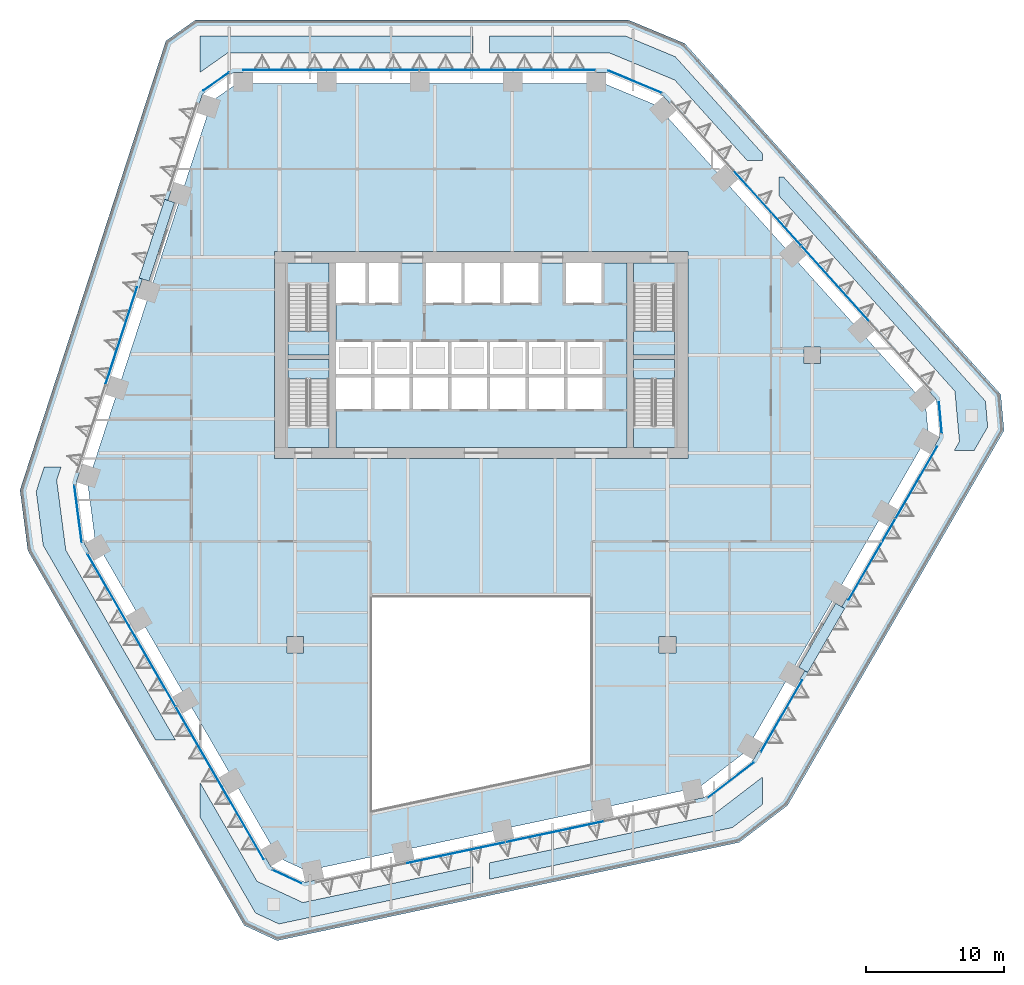
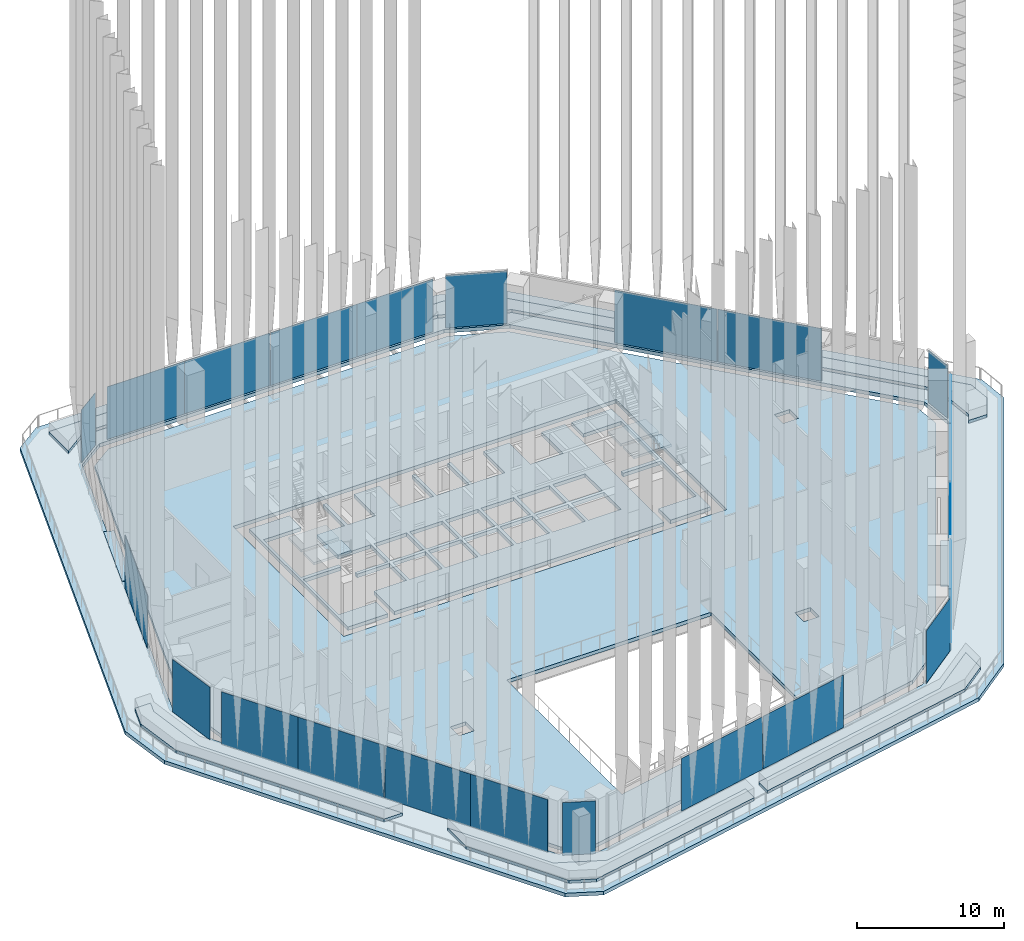
# One storey, part 12 of 27: 22 plates, 17 slabs, 16 elements without a shape of their own.
"""IFC4 building model written with IfcOpenShell, lengths in metres."""

from ifc_helpers import new_model, si_unit, direction, frame, origin, origin_2d, place, context, subcontext, project, spatial, polyline, rectangle, outline, extrude, material, layer, layer_set, type_object, element, aggregate, save


model = new_model("IFC4")

# Units and contexts
model_context = context("Model", 3, precision=1e-05, world=origin(), true_north=direction((0.0, 1.0)))
body_context = subcontext(model_context, "Body", "Model", "MODEL_VIEW")
ifc_project = project(units=[si_unit("LENGTHUNIT", "METRE"), si_unit("AREAUNIT", "SQUARE_METRE"), si_unit("VOLUMEUNIT", "CUBIC_METRE"), si_unit("PLANEANGLEUNIT", "RADIAN"), si_unit("MASSUNIT", "GRAM", prefix="KILO")], contexts=[model_context])

# Site, building, storey
site_placement = place(None, origin())
site = spatial("IfcSite", under=ifc_project, at=site_placement, CompositionType="ELEMENT")
building_placement = place(site_placement, origin())
building = spatial("IfcBuilding", under=site, at=building_placement, Name="Isthmus Gate Tower", CompositionType="ELEMENT")
storey_placement = place(building_placement, frame((0.0, 0.0, 121.64990234375)))
storey = spatial("IfcBuildingStorey", under=building, at=storey_placement, Name="L29", CompositionType="ELEMENT", Elevation=121.64990234375)

# Slabs
ifc_material_1 = material(Name="Concrete f'c 40 MPa", Category="concrete")
ifc_layer_1 = layer(ifc_material_1, 0.300048828125)
ifc_layer_set_1 = layer_set([ifc_layer_1], Name="CORE FLOOR SLAB 300")
slab_type_1 = type_object("IfcSlabType", Name="CORE FLOOR SLAB 300", PredefinedType="FLOOR", material=ifc_layer_set_1)
slab_1_placement = place(storey_placement, frame((0.0, 0.0, -0.2998046875)))
element("IfcSlab", 1, at=slab_1_placement, inside=storey, type_object=slab_type_1, Name="L29 core floor", PredefinedType="FLOOR", context=body_context, shape_type="SweptSolid", body=[
    extrude(outline(polyline([(-11.050048828125, 0.800048828125), (-11.050048828125, 2.402099609375), (-14.0, 2.402099609375), (-14.0, 7.199951171875), (-11.050048828125, 7.199951171875), (-11.050048828125, 7.5), (-14.0, 7.5), (-14.0, 12.597900390625), (-11.050048828125, 12.597900390625), (-11.050048828125, 14.199951171875), (-14.199951171875, 14.199951171875), (-14.199951171875, 0.800048828125), (-11.050048828125, 0.800048828125)])), origin(), (0.0, 0.0, 1.0), 0.2998046875),
])
slab_2_placement = place(storey_placement, frame((0.0, 0.0, -0.2998046875)))
element("IfcSlab", 2, at=slab_2_placement, inside=storey, type_object=slab_type_1, Name="L29 core floor", PredefinedType="FLOOR", context=body_context, shape_type="SweptSolid", body=[
    extrude(outline(polyline([(10.550048828125, 14.199951171875), (8.699951171875, 14.199951171875), (8.699951171875, 11.300048828125), (6.14990234375, 11.300048828125), (6.14990234375, 14.199951171875), (4.14990234375, 14.199951171875), (4.14990234375, 11.300048828125), (1.60009765625, 11.300048828125), (1.60009765625, 14.199951171875), (1.35009765625, 14.199951171875), (1.35009765625, 11.300048828125), (-1.199951171875, 11.300048828125), (-1.199951171875, 14.199951171875), (-1.449951171875, 14.199951171875), (-1.449951171875, 11.300048828125), (-4.0, 11.300048828125), (-4.0, 14.199951171875), (-6.0, 14.199951171875), (-6.0, 11.300048828125), (-8.14990234375, 11.300048828125), (-8.14990234375, 14.199951171875), (-8.39990234375, 14.199951171875), (-8.39990234375, 11.300048828125), (-10.550048828125, 11.300048828125), (-10.550048828125, 8.449951171875), (-8.0, 8.449951171875), (-8.0, 6.14990234375), (-10.550048828125, 6.14990234375), (-10.550048828125, 5.89990234375), (-8.0, 5.89990234375), (-8.0, 3.60009765625), (-10.550048828125, 3.60009765625), (-10.550048828125, 0.800048828125), (10.550048828125, 0.800048828125), (10.550048828125, 14.199951171875)]), holes=[polyline([(-5.199951171875, 3.60009765625), (-7.75, 3.60009765625), (-7.75, 5.89990234375), (-5.199951171875, 5.89990234375), (-5.199951171875, 3.60009765625)]), polyline([(-2.39990234375, 3.60009765625), (-4.949951171875, 3.60009765625), (-4.949951171875, 5.89990234375), (-2.39990234375, 5.89990234375), (-2.39990234375, 3.60009765625)]), polyline([(-5.199951171875, 6.14990234375), (-7.75, 6.14990234375), (-7.75, 8.449951171875), (-5.199951171875, 8.449951171875), (-5.199951171875, 6.14990234375)]), polyline([(-2.39990234375, 8.449951171875), (-2.39990234375, 6.14990234375), (-4.949951171875, 6.14990234375), (-4.949951171875, 8.449951171875), (-2.39990234375, 8.449951171875)]), polyline([(0.39990234375, 6.14990234375), (-2.14990234375, 6.14990234375), (-2.14990234375, 8.449951171875), (0.39990234375, 8.449951171875), (0.39990234375, 6.14990234375)]), polyline([(0.39990234375, 5.89990234375), (0.39990234375, 3.60009765625), (-2.14990234375, 3.60009765625), (-2.14990234375, 5.89990234375), (0.39990234375, 5.89990234375)]), polyline([(3.199951171875, 3.60009765625), (0.64990234375, 3.60009765625), (0.64990234375, 5.89990234375), (3.199951171875, 5.89990234375), (3.199951171875, 3.60009765625)]), polyline([(6.0, 3.60009765625), (3.449951171875, 3.60009765625), (3.449951171875, 5.89990234375), (6.0, 5.89990234375), (6.0, 3.60009765625)]), polyline([(8.800048828125, 5.89990234375), (8.800048828125, 3.60009765625), (6.25, 3.60009765625), (6.25, 5.89990234375), (8.800048828125, 5.89990234375)]), polyline([(3.199951171875, 6.14990234375), (0.64990234375, 6.14990234375), (0.64990234375, 8.449951171875), (3.199951171875, 8.449951171875), (3.199951171875, 6.14990234375)]), polyline([(6.0, 8.449951171875), (6.0, 6.14990234375), (3.449951171875, 6.14990234375), (3.449951171875, 8.449951171875), (6.0, 8.449951171875)]), polyline([(8.800048828125, 6.14990234375), (6.25, 6.14990234375), (6.25, 8.449951171875), (8.800048828125, 8.449951171875), (8.800048828125, 6.14990234375)])]), origin(), (0.0, 0.0, 1.0), 0.2998046875),
])
slab_3_placement = place(storey_placement, frame((0.0, 0.0, -0.2998046875)))
element("IfcSlab", 3, at=slab_3_placement, inside=storey, type_object=slab_type_1, Name="L29 core floor", PredefinedType="FLOOR", context=body_context, shape_type="SweptSolid", body=[
    extrude(outline(polyline([(11.050048828125, 14.199951171875), (11.050048828125, 12.597900390625), (14.0, 12.597900390625), (14.0, 7.5), (11.050048828125, 7.5), (11.050048828125, 7.199951171875), (14.0, 7.199951171875), (14.0, 2.402099609375), (11.050048828125, 2.402099609375), (11.050048828125, 0.800048828125), (14.199951171875, 0.800048828125), (14.199951171875, 14.199951171875), (11.050048828125, 14.199951171875)])), origin(), (0.0, 0.0, 1.0), 0.2998046875),
])

# Curtain wall, plates
ifc_material_2 = material(Name="Aluminium, pale champagne anodised", Category="aluminium")
ifc_layer_2 = layer(ifc_material_2, 0.199951171875)
ifc_layer_set_2 = layer_set([ifc_layer_2], Name="CW-1 UNITISED CURTAIN WALL 200 DEEP")
curtain_wall_type = type_object("IfcCurtainWallType", Name="CW-1 UNITISED CURTAIN WALL 200 DEEP", PredefinedType="NOTDEFINED", material=ifc_layer_set_2)
curtain_wall_1_placement = place(storey_placement, origin())
curtain_wall_1 = element("IfcCurtainWall", 4, at=curtain_wall_1_placement, inside=storey, type_object=curtain_wall_type, Name="CW-1 N L29", PredefinedType="NOTDEFINED")
ifc_material_3 = material(Name="Laminated low-iron glass, pale blue tint", Category="glass")
ifc_layer_3 = layer(ifc_material_3, 0.035888671875)
ifc_layer_set_3 = layer_set([ifc_layer_3], Name="CW-1 CLEAR GLASS LITE 36")
plate_type = type_object("IfcPlateType", Name="CW-1 CLEAR GLASS LITE 36", PredefinedType="CURTAIN_PANEL", material=ifc_layer_set_3)
plate_1_placement = place(storey_placement, frame((5.283447265625, 28.181884765625, 0.0), z_axis=(0.0, 0.0, 1.0), x_axis=(-1.0, 0.0, 0.0)))
plate_1 = element("IfcPlate", 5, at=plate_1_placement, type_object=plate_type, Name="CW-1 glass lite", PredefinedType="CURTAIN_PANEL", context=body_context, shape_type="SweptSolid", body=[
    extrude(rectangle(XDim=5.990234375, YDim=0.035888671875, at=origin_2d()), origin(), (0.0, 0.0, 1.0), 4.360107421875),
])
plate_2_placement = place(storey_placement, frame((-1.086669921875, 28.181884765625, 0.0), z_axis=(0.0, 0.0, 1.0), x_axis=(-1.0, 0.0, 0.0)))
plate_2 = element("IfcPlate", 6, at=plate_2_placement, type_object=plate_type, Name="CW-1 glass lite", PredefinedType="CURTAIN_PANEL", context=body_context, shape_type="SweptSolid", body=[
    extrude(rectangle(XDim=6.750244140625, YDim=0.035888671875, at=origin_2d()), origin(), (0.0, 0.0, 1.0), 4.360107421875),
])
plate_3_placement = place(storey_placement, frame((-7.86669921875, 28.181884765625, 0.0), z_axis=(0.0, 0.0, 1.0), x_axis=(-1.0, 0.0, 0.0)))
plate_3 = element("IfcPlate", 7, at=plate_3_placement, type_object=plate_type, Name="CW-1 glass lite", PredefinedType="CURTAIN_PANEL", context=body_context, shape_type="SweptSolid", body=[
    extrude(rectangle(XDim=6.690185546875, YDim=0.035888671875, at=origin_2d()), origin(), (0.0, 0.0, 1.0), 4.360107421875),
])
plate_4_placement = place(storey_placement, frame((-14.23681640625, 28.181884765625, 0.0), z_axis=(0.0, 0.0, 1.0), x_axis=(-1.0, 0.0, 0.0)))
plate_4 = element("IfcPlate", 8, at=plate_4_placement, type_object=plate_type, Name="CW-1 glass lite", PredefinedType="CURTAIN_PANEL", context=body_context, shape_type="SweptSolid", body=[
    extrude(rectangle(XDim=6.050048828125, YDim=0.035888671875, at=origin_2d()), origin(), (0.0, 0.0, 1.0), 4.360107421875),
])
aggregate(curtain_wall_1, [plate_1, plate_2, plate_3, plate_4])

# Curtain wall, plate
curtain_wall_2_placement = place(storey_placement, origin())
curtain_wall_2 = element("IfcCurtainWall", 9, at=curtain_wall_2_placement, inside=storey, type_object=curtain_wall_type, Name="CW-1 N-NW L29", PredefinedType="NOTDEFINED")
plate_5_placement = place(storey_placement, frame((-19.2119140625, 27.343017578125, 0.0), z_axis=(0.0, 0.0, 1.0), x_axis=(-0.81785959165, -0.57541783805, 0.0)))
plate_5 = element("IfcPlate", 10, at=plate_5_placement, type_object=plate_type, Name="CW-1 glass lite", PredefinedType="CURTAIN_PANEL", context=body_context, shape_type="SweptSolid", body=[
    extrude(rectangle(XDim=2.258544921875, YDim=0.035888671875, at=origin_2d()), origin(), (0.0, 0.0, 1.0), 4.360107421875),
])
aggregate(curtain_wall_2, [plate_5])

curtain_wall_3_placement = place(storey_placement, origin())
curtain_wall_3 = element("IfcCurtainWall", 11, at=curtain_wall_3_placement, inside=storey, type_object=curtain_wall_type, Name="CW-1 NW L29", PredefinedType="NOTDEFINED")
plate_6_placement = place(storey_placement, frame((-26.09765625, 8.8984375, 0.0), z_axis=(0.0, 0.0, 1.0), x_axis=(-0.309016994375, -0.951056516295, 0.0)))
plate_6 = element("IfcPlate", 12, at=plate_6_placement, type_object=plate_type, Name="CW-1 glass lite", PredefinedType="CURTAIN_PANEL", context=body_context, shape_type="SweptSolid", body=[
    extrude(rectangle(XDim=7.390869140625, YDim=0.035888671875, at=origin_2d()), origin(), (0.0, 0.0, 1.0), 4.360107421875),
])
aggregate(curtain_wall_3, [plate_6])

curtain_wall_4_placement = place(storey_placement, origin())
curtain_wall_4 = element("IfcCurtainWall", 13, at=curtain_wall_4_placement, inside=storey, type_object=curtain_wall_type, Name="CW-1 NW-SW L29", PredefinedType="NOTDEFINED")
plate_7_placement = place(storey_placement, frame((-29.234619140625, -3.9990234375, 0.0), z_axis=(0.0, 0.0, 1.0), x_axis=(0.129164534, -0.991623175988, 0.0)))
plate_7 = element("IfcPlate", 14, at=plate_7_placement, type_object=plate_type, Name="CW-1 glass lite", PredefinedType="CURTAIN_PANEL", context=body_context, shape_type="SweptSolid", body=[
    extrude(rectangle(XDim=4.181396484375, YDim=0.035888671875, at=origin_2d()), origin(), (0.0, 0.0, 1.0), 4.360107421875),
])
aggregate(curtain_wall_4, [plate_7])

# Curtain wall, plates
curtain_wall_5_placement = place(storey_placement, origin())
curtain_wall_5 = element("IfcCurtainWall", 15, at=curtain_wall_5_placement, inside=storey, type_object=curtain_wall_type, Name="CW-1 SW L29", PredefinedType="NOTDEFINED")
plate_8_placement = place(storey_placement, frame((-27.048095703125, -9.515380859375, 0.0), z_axis=(0.0, 0.0, 1.0), x_axis=(0.5, -0.866025403784, 0.0)))
plate_8 = element("IfcPlate", 16, at=plate_8_placement, type_object=plate_type, Name="CW-1 glass lite", PredefinedType="CURTAIN_PANEL", context=body_context, shape_type="SweptSolid", body=[
    extrude(rectangle(XDim=5.990234375, YDim=0.035888671875, at=origin_2d()), origin(), (0.0, 0.0, 1.0), 4.360107421875),
])
plate_9_placement = place(storey_placement, frame((-23.863037109375, -15.031982421875, 0.0), z_axis=(0.0, 0.0, 1.0), x_axis=(0.5, -0.866025403784, 0.0)))
plate_9 = element("IfcPlate", 17, at=plate_9_placement, type_object=plate_type, Name="CW-1 glass lite", PredefinedType="CURTAIN_PANEL", context=body_context, shape_type="SweptSolid", body=[
    extrude(rectangle(XDim=6.750244140625, YDim=0.035888671875, at=origin_2d()), origin(), (0.0, 0.0, 1.0), 4.360107421875),
])
plate_10_placement = place(storey_placement, frame((-20.472900390625, -20.90380859375, 0.0), z_axis=(0.0, 0.0, 1.0), x_axis=(0.5, -0.866025403784, 0.0)))
plate_10 = element("IfcPlate", 18, at=plate_10_placement, type_object=plate_type, Name="CW-1 glass lite", PredefinedType="CURTAIN_PANEL", context=body_context, shape_type="SweptSolid", body=[
    extrude(rectangle(XDim=6.690185546875, YDim=0.035888671875, at=origin_2d()), origin(), (0.0, 0.0, 1.0), 4.360107421875),
])
plate_11_placement = place(storey_placement, frame((-17.287841796875, -26.42041015625, 0.0), z_axis=(0.0, 0.0, 1.0), x_axis=(0.5, -0.866025403784, 0.0)))
plate_11 = element("IfcPlate", 19, at=plate_11_placement, type_object=plate_type, Name="CW-1 glass lite", PredefinedType="CURTAIN_PANEL", context=body_context, shape_type="SweptSolid", body=[
    extrude(rectangle(XDim=6.050048828125, YDim=0.035888671875, at=origin_2d()), origin(), (0.0, 0.0, 1.0), 4.360107421875),
])
aggregate(curtain_wall_5, [plate_8, plate_9, plate_10, plate_11])

# Curtain wall, plate
curtain_wall_6_placement = place(storey_placement, origin())
curtain_wall_6 = element("IfcCurtainWall", 20, at=curtain_wall_6_placement, inside=storey, type_object=curtain_wall_type, Name="CW-1 SW-S L29", PredefinedType="NOTDEFINED")
plate_12_placement = place(storey_placement, frame((-14.07373046875, -30.3095703125, 0.0), z_axis=(0.0, 0.0, 1.0), x_axis=(0.907256261367, -0.420578264073, 0.0)))
plate_12 = element("IfcPlate", 21, at=plate_12_placement, type_object=plate_type, Name="CW-1 glass lite", PredefinedType="CURTAIN_PANEL", context=body_context, shape_type="SweptSolid", body=[
    extrude(rectangle(XDim=2.258544921875, YDim=0.035888671875, at=origin_2d()), origin(), (0.0, 0.0, 1.0), 4.360107421875),
])
aggregate(curtain_wall_6, [plate_12])

# Curtain wall, plates
curtain_wall_7_placement = place(storey_placement, origin())
curtain_wall_7 = element("IfcCurtainWall", 22, at=curtain_wall_7_placement, inside=storey, type_object=curtain_wall_type, Name="CW-1 S L29", PredefinedType="NOTDEFINED")
plate_13_placement = place(storey_placement, frame((-1.88671875, -28.587158203125, 0.0), z_axis=(0.0, 0.0, 1.0), x_axis=(0.978147600734, 0.207911690818, 0.0)))
plate_13 = element("IfcPlate", 23, at=plate_13_placement, type_object=plate_type, Name="CW-1 glass lite", PredefinedType="CURTAIN_PANEL", context=body_context, shape_type="SweptSolid", body=[
    extrude(rectangle(XDim=7.390869140625, YDim=0.035888671875, at=origin_2d()), origin(), (0.0, 0.0, 1.0), 4.360107421875),
])
plate_14_placement = place(storey_placement, frame((5.371826171875, -27.044189453125, 0.0), z_axis=(0.0, 0.0, 1.0), x_axis=(0.978147600734, 0.207911690818, 0.0)))
plate_14 = element("IfcPlate", 24, at=plate_14_placement, type_object=plate_type, Name="CW-1 glass lite", PredefinedType="CURTAIN_PANEL", context=body_context, shape_type="SweptSolid", body=[
    extrude(rectangle(XDim=7.330810546875, YDim=0.035888671875, at=origin_2d()), origin(), (0.0, 0.0, 1.0), 4.360107421875),
])
aggregate(curtain_wall_7, [plate_13, plate_14])

# Curtain wall, plate
curtain_wall_8_placement = place(storey_placement, origin())
curtain_wall_8 = element("IfcCurtainWall", 25, at=curtain_wall_8_placement, inside=storey, type_object=curtain_wall_type, Name="CW-1 S-SE L29", PredefinedType="NOTDEFINED")
plate_15_placement = place(storey_placement, frame((18.08056640625, -23.318359375, 0.0), z_axis=(0.0, 0.0, 1.0), x_axis=(0.794188594387, 0.607671355706, 0.0)))
plate_15 = element("IfcPlate", 26, at=plate_15_placement, type_object=plate_type, Name="CW-1 glass lite", PredefinedType="CURTAIN_PANEL", context=body_context, shape_type="SweptSolid", body=[
    extrude(rectangle(XDim=4.181396484375, YDim=0.035888671875, at=origin_2d()), origin(), (0.0, 0.0, 1.0), 4.360107421875),
])
aggregate(curtain_wall_8, [plate_15])

# Curtain wall, plates
curtain_wall_9_placement = place(storey_placement, origin())
curtain_wall_9 = element("IfcCurtainWall", 27, at=curtain_wall_9_placement, inside=storey, type_object=curtain_wall_type, Name="CW-1 SE L29", PredefinedType="NOTDEFINED")
plate_16_placement = place(storey_placement, frame((21.7646484375, -18.666748046875, 0.0), z_axis=(0.0, 0.0, 1.0), x_axis=(0.5, 0.866025403784, 0.0)))
plate_16 = element("IfcPlate", 28, at=plate_16_placement, type_object=plate_type, Name="CW-1 glass lite", PredefinedType="CURTAIN_PANEL", context=body_context, shape_type="SweptSolid", body=[
    extrude(rectangle(XDim=5.990234375, YDim=0.035888671875, at=origin_2d()), origin(), (0.0, 0.0, 1.0), 4.360107421875),
])
plate_17_placement = place(storey_placement, frame((28.32470703125, -7.30419921875, 0.0), z_axis=(0.0, 0.0, 1.0), x_axis=(0.5, 0.866025403784, 0.0)))
plate_17 = element("IfcPlate", 29, at=plate_17_placement, type_object=plate_type, Name="CW-1 glass lite", PredefinedType="CURTAIN_PANEL", context=body_context, shape_type="SweptSolid", body=[
    extrude(rectangle(XDim=6.750244140625, YDim=0.035888671875, at=origin_2d()), origin(), (0.0, 0.0, 1.0), 4.360107421875),
])
plate_18_placement = place(storey_placement, frame((31.539794921875, -1.735595703125, 0.0), z_axis=(0.0, 0.0, 1.0), x_axis=(0.5, 0.866025403784, 0.0)))
plate_18 = element("IfcPlate", 30, at=plate_18_placement, type_object=plate_type, Name="CW-1 glass lite", PredefinedType="CURTAIN_PANEL", context=body_context, shape_type="SweptSolid", body=[
    extrude(rectangle(XDim=5.990234375, YDim=0.035888671875, at=origin_2d()), origin(), (0.0, 0.0, 1.0), 4.360107421875),
])
aggregate(curtain_wall_9, [plate_16, plate_17, plate_18])

# Curtain wall, plate
curtain_wall_10_placement = place(storey_placement, origin())
curtain_wall_10 = element("IfcCurtainWall", 31, at=curtain_wall_10_placement, inside=storey, type_object=curtain_wall_type, Name="CW-1 SE-NE L29", PredefinedType="NOTDEFINED")
plate_19_placement = place(storey_placement, frame((33.285888671875, 2.966552734375, 0.0), z_axis=(0.0, 0.0, 1.0), x_axis=(-0.089396669717, 0.995996102123, 0.0)))
plate_19 = element("IfcPlate", 32, at=plate_19_placement, type_object=plate_type, Name="CW-1 glass lite", PredefinedType="CURTAIN_PANEL", context=body_context, shape_type="SweptSolid", body=[
    extrude(rectangle(XDim=2.258544921875, YDim=0.035888671875, at=origin_2d()), origin(), (0.0, 0.0, 1.0), 4.360107421875),
])
aggregate(curtain_wall_10, [plate_19])

# Curtain wall, plates
curtain_wall_11_placement = place(storey_placement, origin())
curtain_wall_11 = element("IfcCurtainWall", 33, at=curtain_wall_11_placement, inside=storey, type_object=curtain_wall_type, Name="CW-1 NE L29", PredefinedType="NOTDEFINED")
plate_20_placement = place(storey_placement, frame((25.70068359375, 12.659423828125, 0.0), z_axis=(0.0, 0.0, 1.0), x_axis=(-0.669130606359, 0.743144825477, 0.0)))
plate_20 = element("IfcPlate", 34, at=plate_20_placement, type_object=plate_type, Name="CW-1 glass lite", PredefinedType="CURTAIN_PANEL", context=body_context, shape_type="SweptSolid", body=[
    extrude(rectangle(XDim=7.390869140625, YDim=0.035888671875, at=origin_2d()), origin(), (0.0, 0.0, 1.0), 4.360107421875),
])
plate_21_placement = place(storey_placement, frame((20.735107421875, 18.17431640625, 0.0), z_axis=(0.0, 0.0, 1.0), x_axis=(-0.669130606359, 0.743144825477, 0.0)))
plate_21 = element("IfcPlate", 35, at=plate_21_placement, type_object=plate_type, Name="CW-1 glass lite", PredefinedType="CURTAIN_PANEL", context=body_context, shape_type="SweptSolid", body=[
    extrude(rectangle(XDim=7.330810546875, YDim=0.035888671875, at=origin_2d()), origin(), (0.0, 0.0, 1.0), 4.360107421875),
])
aggregate(curtain_wall_11, [plate_20, plate_21])

# Curtain wall, plate
curtain_wall_12_placement = place(storey_placement, origin())
curtain_wall_12 = element("IfcCurtainWall", 36, at=curtain_wall_12_placement, inside=storey, type_object=curtain_wall_type, Name="CW-1 NE-N L29", PredefinedType="NOTDEFINED")
plate_22_placement = place(storey_placement, frame((11.154052734375, 27.3173828125, 0.0), z_axis=(0.0, 0.0, 1.0), x_axis=(-0.923353128387, 0.383951820282, 0.0)))
plate_22 = element("IfcPlate", 37, at=plate_22_placement, type_object=plate_type, Name="CW-1 glass lite", PredefinedType="CURTAIN_PANEL", context=body_context, shape_type="SweptSolid", body=[
    extrude(rectangle(XDim=4.181396484375, YDim=0.035888671875, at=origin_2d()), origin(), (0.0, 0.0, 1.0), 4.360107421875),
])
aggregate(curtain_wall_12, [plate_22])

# Slabs
ifc_material_4 = material(Name="Precast concrete C40/50", Category="concrete")
ifc_layer_4 = layer(ifc_material_4, 0.0400390625)
ifc_layer_set_4 = layer_set([ifc_layer_4], Name="DOOR LANDING SLAB 40")
slab_type_2 = type_object("IfcSlabType", Name="DOOR LANDING SLAB 40", PredefinedType="LANDING", material=ifc_layer_set_4)
slab_4_placement = place(storey_placement, origin())
element("IfcSlab", 38, at=slab_4_placement, inside=storey, type_object=slab_type_2, Name="DOOR LANDING", PredefinedType="LANDING", context=body_context, shape_type="SweptSolid", body=[
    extrude(outline(polyline([(-22.952880859375, 18.79736328125), (-24.803955078125, 13.099853515625), (-24.0908203125, 12.8681640625), (-22.239501953125, 18.565673828125), (-22.952880859375, 18.79736328125)])), origin(), (0.0, 0.0, 1.0), 0.0400390625),
])
slab_5_placement = place(storey_placement, origin())
element("IfcSlab", 39, at=slab_5_placement, inside=storey, type_object=slab_type_2, Name="DOOR LANDING", PredefinedType="LANDING", context=body_context, shape_type="SweptSolid", body=[
    extrude(outline(polyline([(23.6708984375, -15.500732421875), (26.34619140625, -10.8671875), (25.696533203125, -10.4921875), (23.021484375, -15.125732421875), (23.6708984375, -15.500732421875)])), origin(), (0.0, 0.0, 1.0), 0.0400390625),
])
ifc_material_5 = material(Name="Concrete f'c 40 MPa", Category="concrete")
ifc_layer_5 = layer(ifc_material_5, 0.300048828125)
ifc_layer_set_5 = layer_set([ifc_layer_5], Name="LEDGE ROOF SLAB 300")
slab_type_3 = type_object("IfcSlabType", Name="LEDGE ROOF SLAB 300", PredefinedType="ROOF", material=ifc_layer_set_5)
slab_6_placement = place(storey_placement, frame((0.0, 0.0, -0.2998046875)))
element("IfcSlab", 40, at=slab_6_placement, inside=storey, type_object=slab_type_3, Name="str-ledge-L29", PredefinedType="ROOF", context=body_context, shape_type="SweptSolid", body=[
    extrude(outline(polyline([(37.661376953125, 4.652099609375), (37.89599609375, 2.037841796875), (22.20849609375, -25.133544921875), (18.6953125, -27.82177734375), (-14.802001953125, -34.94189453125), (-17.18310546875, -33.837890625), (-32.87060546875, -6.66650390625), (-33.44189453125, -2.27978515625), (-22.859619140625, 30.289794921875), (-20.712890625, 31.800048828125), (10.661865234375, 31.800048828125), (14.74658203125, 30.1015625), (37.661376953125, 4.652099609375)]), holes=[polyline([(-20.21484375, 26.4150390625), (-20.6474609375, 25.08349609375), (-20.6474609375, 25.08349609375), (-22.282470703125, 20.051513671875), (-22.715087890625, 18.72021484375), (-22.715087890625, 18.72021484375), (-24.800537109375, 12.302001953125), (-24.998779296875, 11.691162109375), (-29.350341796875, -1.701416015625), (-29.350341796875, -1.701416015625), (-29.350341796875, -1.701416015625), (-28.76806640625, -6.17236328125), (-25.742919921875, -11.411865234375), (-25.742919921875, -11.411865234375), (-25.04296875, -12.62451171875), (-22.367919921875, -17.2578125), (-22.343994140625, -17.299072265625), (-18.992919921875, -23.103515625), (-18.992919921875, -23.103515625), (-18.292724609375, -24.31591796875), (-15.267578125, -29.555419921875), (-12.7685546875, -30.714111328125), (-11.399169921875, -30.423095703125), (-11.399169921875, -30.423095703125), (-6.22412109375, -29.322998046875), (-4.8544921875, -29.031982421875), (-4.8544921875, -29.031982421875), (1.68994140625, -27.640869140625), (2.374755859375, -27.4951171875), (2.374755859375, -27.4951171875), (16.148681640625, -24.5673828125), (19.7294921875, -21.82763671875), (20.429443359375, -20.615234375), (22.75439453125, -16.588134765625), (23.45458984375, -15.37548828125), (26.427490234375, -10.226318359375), (26.82958984375, -9.52978515625), (29.5537109375, -4.811279296875), (30.20458984375, -3.68408203125), (30.20458984375, -3.68408203125), (33.1494140625, 1.41650390625), (33.229736328125, 1.555419921875), (33.229736328125, 1.555419921875), (33.229736328125, 1.555419921875), (32.9833984375, 4.299072265625), (18.615478515625, 20.256103515625), (17.864990234375, 21.089599609375), (13.201904296875, 26.268798828125), (9.03857421875, 28.0), (7.638671875, 28.0), (2.98828125, 28.0), (1.58837890625, 28.0), (-3.76171875, 28.0), (-5.16162109375, 28.0), (-10.51171875, 28.0), (-11.911865234375, 28.0), (-16.56201171875, 28.0), (-17.9619140625, 28.0), (-20.21484375, 26.4150390625)])]), origin(), (0.0, 0.0, 1.0), 0.2998046875),
])
ifc_material_6 = material(Name="Concrete f'c 40 MPa", Category="concrete")
ifc_layer_6 = layer(ifc_material_6, 0.25)
ifc_layer_set_6 = layer_set([ifc_layer_6], Name="PLANTING BED BASE SLAB 250")
slab_type_4 = type_object("IfcSlabType", Name="PLANTING BED BASE SLAB 250", PredefinedType="FLOOR", material=ifc_layer_set_6)
slab_7_placement = place(storey_placement, origin())
element("IfcSlab", 41, at=slab_7_placement, inside=storey, type_object=slab_type_4, Name="PLANTING BED BASE", PredefinedType="FLOOR", context=body_context, shape_type="SweptSolid", body=[
    extrude(outline(polyline([(-30.464599609375, -0.60009765625), (-31.68701171875, -0.60009765625), (-32.26806640625, -2.388427734375), (-31.759765625, -6.290283203125), (-23.613525390625, -20.39990234375), (-22.170166015625, -20.39990234375), (-30.1201171875, -6.63037109375), (-30.779541015625, -1.569091796875), (-30.464599609375, -0.60009765625)])), origin(), (0.0, 0.0, 1.0), 0.25),
])
slab_8_placement = place(storey_placement, origin())
element("IfcSlab", 42, at=slab_8_placement, inside=storey, type_object=slab_type_4, Name="PLANTING BED BASE", PredefinedType="FLOOR", context=body_context, shape_type="SweptSolid", body=[
    extrude(outline(polyline([(-0.60009765625, -30.747314453125), (-0.60009765625, -29.558837890625), (-12.93408203125, -32.180419921875), (-16.258544921875, -30.639404296875), (-20.39990234375, -23.466064453125), (-20.39990234375, -25.966064453125), (-16.369140625, -32.94775390625), (-14.666015625, -33.7373046875), (-0.60009765625, -30.747314453125)])), origin(), (0.0, 0.0, 1.0), 0.25),
])
slab_9_placement = place(storey_placement, origin())
element("IfcSlab", 43, at=slab_9_placement, inside=storey, type_object=slab_type_4, Name="PLANTING BED BASE", PredefinedType="FLOOR", context=body_context, shape_type="SweptSolid", body=[
    extrude(outline(polyline([(-0.60009765625, 29.39990234375), (-0.60009765625, 30.64990234375), (-20.348876953125, 30.64990234375), (-20.39990234375, 30.614013671875), (-20.39990234375, 27.99658203125), (-18.405029296875, 29.39990234375), (-0.60009765625, 29.39990234375)])), origin(), (0.0, 0.0, 1.0), 0.25),
])
slab_10_placement = place(storey_placement, origin())
element("IfcSlab", 44, at=slab_10_placement, inside=storey, type_object=slab_type_4, Name="PLANTING BED BASE", PredefinedType="FLOOR", context=body_context, shape_type="SweptSolid", body=[
    extrude(outline(polyline([(20.39990234375, 21.60009765625), (20.39990234375, 22.104248046875), (14.065673828125, 29.13916015625), (10.432373046875, 30.64990234375), (0.60009765625, 30.64990234375), (0.60009765625, 29.39990234375), (9.318115234375, 29.39990234375), (14.031005859375, 27.440185546875), (19.28955078125, 21.60009765625), (20.39990234375, 21.60009765625)])), origin(), (0.0, 0.0, 1.0), 0.25),
])
slab_11_placement = place(storey_placement, origin())
element("IfcSlab", 45, at=slab_11_placement, inside=storey, type_object=slab_type_4, Name="PLANTING BED BASE", PredefinedType="FLOOR", context=body_context, shape_type="SweptSolid", body=[
    extrude(outline(polyline([(20.39990234375, -25.0693359375), (20.39990234375, -23.077392578125), (16.74853515625, -25.871337890625), (0.60009765625, -29.3037109375), (0.60009765625, -30.4921875), (18.202392578125, -26.750732421875), (20.39990234375, -25.0693359375)])), origin(), (0.0, 0.0, 1.0), 0.25),
])
slab_12_placement = place(storey_placement, origin())
element("IfcSlab", 46, at=slab_12_placement, inside=storey, type_object=slab_type_4, Name="PLANTING BED BASE", PredefinedType="FLOOR", context=body_context, shape_type="SweptSolid", body=[
    extrude(outline(polyline([(21.60009765625, 20.39990234375), (21.60009765625, 19.033935546875), (34.336181640625, 4.88916015625), (34.663818359375, 1.2392578125), (34.294677734375, 0.60009765625), (35.738037109375, 0.60009765625), (36.718017578125, 2.297607421875), (36.55029296875, 4.16748046875), (21.934326171875, 20.39990234375), (21.60009765625, 20.39990234375)])), origin(), (0.0, 0.0, 1.0), 0.25),
])
ifc_material_7 = material(Name="Concrete f'c 40 MPa", Category="concrete")
ifc_layer_7 = layer(ifc_material_7, 0.300048828125)
ifc_layer_set_7 = layer_set([ifc_layer_7], Name="SKY LOBBY FLOOR SLAB 300")
slab_type_5 = type_object("IfcSlabType", Name="SKY LOBBY FLOOR SLAB 300", PredefinedType="FLOOR", material=ifc_layer_set_7)
slab_13_placement = place(storey_placement, frame((0.0, 0.0, -0.2998046875)))
element("IfcSlab", 47, at=slab_13_placement, inside=storey, type_object=slab_type_5, Name="str-slab-L29-1", PredefinedType="FLOOR", context=body_context, shape_type="SweptSolid", body=[
    extrude(outline(polyline([(12.72802734375, 25.599365234375), (32.21044921875, 3.9619140625), (32.410400390625, 1.736083984375), (19.116455078125, -21.289306640625), (15.8056640625, -23.822509765625), (-12.674072265625, -29.876220703125), (-14.701416015625, -28.936279296875), (-27.995361328125, -5.91064453125), (-28.53369140625, -1.77685546875), (-19.536376953125, 25.9140625), (-17.708740234375, 27.199951171875), (8.87890625, 27.199951171875), (12.72802734375, 25.599365234375)]), holes=[polyline([(-8.0, -10.0), (-8.0, -25.611083984375), (8.0, -22.210205078125), (8.0, -10.0), (-8.0, -10.0)]), polyline([(-14.10009765625, -12.89990234375), (-14.10009765625, -14.10009765625), (-12.89990234375, -14.10009765625), (-12.89990234375, -12.89990234375), (-14.10009765625, -12.89990234375)]), polyline([(14.10009765625, -12.89990234375), (12.89990234375, -12.89990234375), (12.89990234375, -14.10009765625), (14.10009765625, -14.10009765625), (14.10009765625, -12.89990234375)]), polyline([(-15.0, 15.0), (-15.0, 0.0), (15.0, 0.0), (15.0, 15.0), (-15.0, 15.0)]), polyline([(24.60009765625, 6.89990234375), (24.60009765625, 8.10009765625), (23.39990234375, 8.10009765625), (23.39990234375, 6.89990234375), (24.60009765625, 6.89990234375)])]), origin(), (0.0, 0.0, 1.0), 0.2998046875),
])

# Stair, slab
ifc_material_8 = material(Name="Concrete f'c 40 MPa", Category="concrete")
stair_type = type_object("IfcStairType", Name="CORE STAIR 26 RISERS", PredefinedType="HALF_TURN_STAIR", material=ifc_material_8)
stair_1_placement = place(storey_placement, origin())
stair_1 = element("IfcStair", 48, at=stair_1_placement, inside=storey, type_object=stair_type, Name="L29 Exit Stair 1", PredefinedType="HALF_TURN_STAIR")
ifc_material_9 = material(Name="Concrete f'c 40 MPa", Category="concrete")
ifc_layer_8 = layer(ifc_material_9, 0.199951171875)
ifc_layer_set_8 = layer_set([ifc_layer_8])
slab_type_6 = type_object("IfcSlabType", Name="STAIR LANDING RC 200", PredefinedType="LANDING", material=ifc_layer_set_8)
slab_14_placement = place(storey_placement, frame((0.0, 0.0, 2.050048828125)))
slab_14 = element("IfcSlab", 49, at=slab_14_placement, type_object=slab_type_6, Name="ST1 landing 1", PredefinedType="LANDING", context=body_context, shape_type="SweptSolid", body=[
    extrude(outline(polyline([(-14.0, 9.239990234375), (-14.0, 7.5), (-11.050048828125, 7.5), (-11.050048828125, 9.239990234375), (-14.0, 9.239990234375)])), origin(), (0.0, 0.0, 1.0), 0.199951171875),
])
aggregate(stair_1, [slab_14])

stair_2_placement = place(storey_placement, origin())
stair_2 = element("IfcStair", 50, at=stair_2_placement, inside=storey, type_object=stair_type, Name="L29 Exit Stair 2", PredefinedType="HALF_TURN_STAIR")
slab_15_placement = place(storey_placement, frame((0.0, 0.0, 2.050048828125)))
slab_15 = element("IfcSlab", 51, at=slab_15_placement, type_object=slab_type_6, Name="ST2 landing 1", PredefinedType="LANDING", context=body_context, shape_type="SweptSolid", body=[
    extrude(outline(polyline([(11.050048828125, 9.239990234375), (11.050048828125, 7.5), (14.0, 7.5), (14.0, 9.239990234375), (11.050048828125, 9.239990234375)])), origin(), (0.0, 0.0, 1.0), 0.199951171875),
])
aggregate(stair_2, [slab_15])

stair_3_placement = place(storey_placement, origin())
stair_3 = element("IfcStair", 52, at=stair_3_placement, inside=storey, type_object=stair_type, Name="L29 Exit Stair 7", PredefinedType="HALF_TURN_STAIR")
slab_16_placement = place(storey_placement, frame((0.0, 0.0, 2.050048828125)))
slab_16 = element("IfcSlab", 53, at=slab_16_placement, type_object=slab_type_6, Name="ST7 landing 1", PredefinedType="LANDING", context=body_context, shape_type="SweptSolid", body=[
    extrude(outline(polyline([(-11.050048828125, 5.760009765625), (-11.050048828125, 7.199951171875), (-14.0, 7.199951171875), (-14.0, 5.760009765625), (-11.050048828125, 5.760009765625)])), origin(), (0.0, 0.0, 1.0), 0.199951171875),
])
aggregate(stair_3, [slab_16])

stair_4_placement = place(storey_placement, origin())
stair_4 = element("IfcStair", 54, at=stair_4_placement, inside=storey, type_object=stair_type, Name="L29 Exit Stair 8", PredefinedType="HALF_TURN_STAIR")
slab_17_placement = place(storey_placement, frame((0.0, 0.0, 2.050048828125)))
slab_17 = element("IfcSlab", 55, at=slab_17_placement, type_object=slab_type_6, Name="ST8 landing 1", PredefinedType="LANDING", context=body_context, shape_type="SweptSolid", body=[
    extrude(outline(polyline([(14.0, 5.760009765625), (14.0, 7.199951171875), (11.050048828125, 7.199951171875), (11.050048828125, 5.760009765625), (14.0, 5.760009765625)])), origin(), (0.0, 0.0, 1.0), 0.199951171875),
])
aggregate(stair_4, [slab_17])

save(model, "model.ifc")
